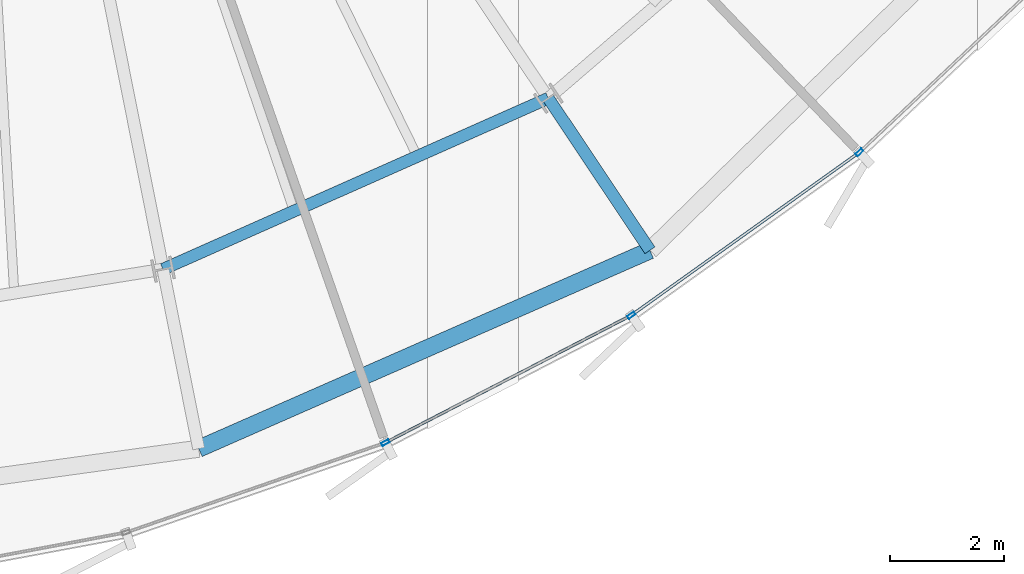
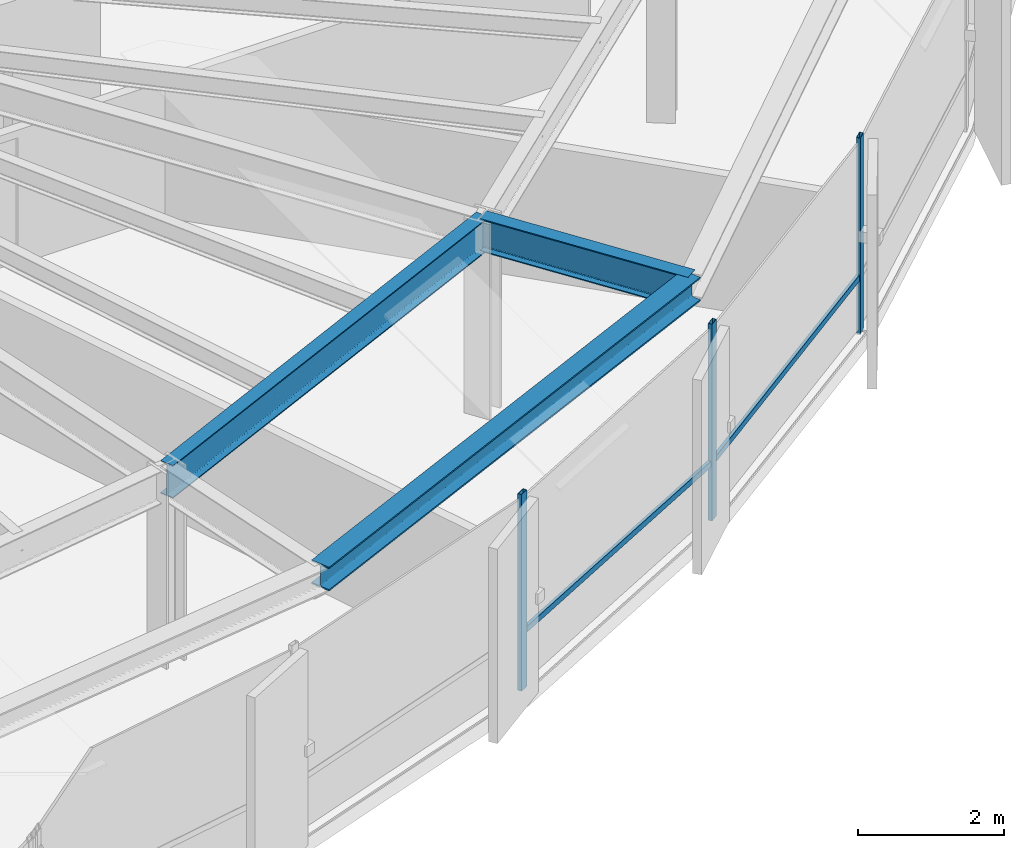
# One storey, part 12 of 32: 5 members, 3 beams, 1 element without a shape of its own.
"""IFC4 building model written with IfcOpenShell, lengths in metres."""

from ifc_helpers import new_model, si_unit, direction, frame, origin, origin_2d, place, context, subcontext, project, spatial, hollow_rectangle, i_section, extrude, source, transform, mapped, material, layer, layer_set, material_profile, profile_set, type_object, element, aggregate, save


model = new_model("IFC4")

# Units and contexts
model_context = context("Model", 3, precision=1e-05, world=origin(), true_north=direction((0.0, 1.0)))
body_context = subcontext(model_context, "Body", "Model", "MODEL_VIEW")
ifc_project = project(units=[si_unit("LENGTHUNIT", "METRE"), si_unit("AREAUNIT", "SQUARE_METRE"), si_unit("VOLUMEUNIT", "CUBIC_METRE"), si_unit("PLANEANGLEUNIT", "RADIAN"), si_unit("MASSUNIT", "GRAM", prefix="KILO"), si_unit("THERMODYNAMICTEMPERATUREUNIT", "KELVIN")], contexts=[model_context])

# Site, building, storey
site_placement = place(None, origin())
site = spatial("IfcSite", under=ifc_project, at=site_placement, CompositionType="ELEMENT")
building_placement = place(site_placement, origin())
building = spatial("IfcBuilding", under=site, at=building_placement, Name="Kethvar Cultural Tower", CompositionType="ELEMENT")
storey_placement = place(building_placement, frame((0.0, 0.0, 160.75)))
storey = spatial("IfcBuildingStorey", under=building, at=storey_placement, Name="L41", CompositionType="ELEMENT", Elevation=160.75)

# Beams
ifc_material_1 = material(Name="Steel S355J2", Category="steel")
ifc_material_profile_1 = material_profile(ifc_material_1, i_section(OverallWidth=0.2099609375, OverallDepth=0.550048828125, WebThickness=0.010986328125, FlangeThickness=0.01708984375, FilletRadius=0.02392578125, at=origin_2d()), Name="Steel S355J2 — IPE550")
ifc_profile_set_1 = profile_set([ifc_material_profile_1], Name="Steel S355J2 — IPE550")
beam_type_1 = type_object("IfcBeamType", Name="BM-IPE550", PredefinedType="BEAM", material=ifc_profile_set_1)
shared_shape_1 = source(origin(), body_context, "Body", "SweptSolid", [
    extrude(i_section(OverallWidth=0.2099609375, OverallDepth=0.550048828125, WebThickness=0.010986328125, FlangeThickness=0.01708984375, FilletRadius=0.02392578125, at=origin_2d()), origin(), (0.0, 0.0, 1.0), 3.199951171875),
])
beam_1_placement = place(storey_placement, frame((57.241943359375, 12.17236328125, 3.02294921875), z_axis=(0.555580212716, -0.831462943996, 0.0), x_axis=(0.831462943996, 0.555580212716, 0.0)))
element("IfcBeam", 1, at=beam_1_placement, inside=storey, type_object=beam_type_1, Name="L41 Perimeter Cantilever Beam RC-14", PredefinedType="BEAM", context=body_context, shape_type="MappedRepresentation", body=[
    mapped(shared_shape_1, transform((0.0, 0.0, 0.0), scale=1.0)),
])
shared_shape_2 = source(origin(), body_context, "Body", "SweptSolid", [
    extrude(i_section(OverallWidth=0.2099609375, OverallDepth=0.550048828125, WebThickness=0.010986328125, FlangeThickness=0.01708984375, FilletRadius=0.02392578125, at=origin_2d()), origin(), (0.0, 0.0, 1.0), 7.3720703125),
])
beam_2_placement = place(storey_placement, frame((50.50341796875, 9.182373046875, 3.02294921875), z_axis=(0.914058560918, 0.405582232367, 0.0), x_axis=(-0.405582232367, 0.914058560918, 0.0)))
element("IfcBeam", 2, at=beam_2_placement, inside=storey, type_object=beam_type_1, Name="L41 Column Ring Tie Beam CR-13", PredefinedType="BEAM", context=body_context, shape_type="MappedRepresentation", body=[
    mapped(shared_shape_2, transform((0.0, 0.0, 0.0), scale=1.0)),
])
ifc_material_profile_2 = material_profile(ifc_material_1, i_section(OverallWidth=0.300048828125, OverallDepth=0.39990234375, WebThickness=0.013427734375, FlangeThickness=0.02392578125, FilletRadius=0.027099609375, at=origin_2d()), Name="Steel S355J2 — HEB400")
ifc_profile_set_2 = profile_set([ifc_material_profile_2], Name="Steel S355J2 — HEB400")
beam_type_2 = type_object("IfcBeamType", Name="BM-SP400", PredefinedType="SPANDREL", material=ifc_profile_set_2)
shared_shape_3 = source(origin(), body_context, "Body", "SweptSolid", [
    extrude(i_section(OverallWidth=0.300048828125, OverallDepth=0.39990234375, WebThickness=0.013427734375, FlangeThickness=0.02392578125, FilletRadius=0.027099609375, at=origin_2d()), origin(), (0.0, 0.0, 1.0), 8.620361328125),
])
beam_3_placement = place(storey_placement, frame((51.127685546875, 6.043701171875, 3.097900390625), z_axis=(0.915507442902, 0.402301034041, 0.0), x_axis=(-0.402301034041, 0.915507442902, 0.0)))
element("IfcBeam", 3, at=beam_3_placement, inside=storey, type_object=beam_type_2, Name="L41 Perimeter Spandrel Beam SP-13", PredefinedType="SPANDREL", context=body_context, shape_type="MappedRepresentation", body=[
    mapped(shared_shape_3, transform((0.0, 0.0, 0.0), scale=1.0)),
])

# Curtain wall, members
ifc_material_2 = material(Name="Aluminium 6063-T6", Category="aluminium")
ifc_layer = layer(ifc_material_2, 0.179931640625, Name="Aluminium 6063-T6", Category="aluminium")
ifc_layer_set = layer_set([ifc_layer], Name="Aluminium 6063-T6 (180 mm)")
curtain_wall_type = type_object("IfcCurtainWallType", Name="CW-SYS-04-Z34", PredefinedType="NOTDEFINED", material=ifc_layer_set)
curtain_wall_placement = place(storey_placement, origin())
curtain_wall = element("IfcCurtainWall", 4, at=curtain_wall_placement, inside=storey, type_object=curtain_wall_type, Name="L41 Curtain Wall Run 05", PredefinedType="NOTDEFINED")
ifc_material_profile_3 = material_profile(ifc_material_2, hollow_rectangle(XDim=0.06005859375, YDim=0.139892578125, WallThickness=0.0048828125, at=origin_2d()), Name="Aluminium 6063-T6 — RHS140x60x5")
ifc_profile_set_3 = profile_set([ifc_material_profile_3], Name="Aluminium 6063-T6 — RHS140x60x5")
member_type_1 = type_object("IfcMemberType", Name="CW-SYS-04-Z34-MUL", PredefinedType="MULLION", material=ifc_profile_set_3)
shared_shape_4 = source(origin(), body_context, "Body", "SweptSolid", [
    extrude(hollow_rectangle(XDim=0.06005859375, YDim=0.139892578125, WallThickness=0.0048828125, at=origin_2d()), origin(), (0.0, 0.0, 1.0), 3.300048828125),
])
member_1_placement = place(storey_placement, frame((54.39208984375, 6.148193359375, 0.0), z_axis=(0.0, 0.0, 1.0), x_axis=(-0.460153298248, 0.887839479924, 0.0)))
member_1 = element("IfcMember", 5, at=member_1_placement, type_object=member_type_1, Name="CW-L41-R05 Mullion 3", PredefinedType="MULLION", context=body_context, shape_type="MappedRepresentation", body=[
    mapped(shared_shape_4, transform((0.0, 0.0, 0.0), scale=1.0)),
])
member_2_placement = place(storey_placement, frame((58.693603515625, 8.37646484375, 0.0), z_axis=(0.0, 0.0, 1.0), x_axis=(-0.581512581004, 0.813537410408, 0.0)))
member_2 = element("IfcMember", 6, at=member_2_placement, type_object=member_type_1, Name="CW-L41-R05 Mullion 4", PredefinedType="MULLION", context=body_context, shape_type="MappedRepresentation", body=[
    mapped(shared_shape_4, transform((0.0, 0.0, 0.0), scale=1.0)),
])
member_3_placement = place(storey_placement, frame((62.680908203125, 11.225341796875, 0.0), z_axis=(0.0, 0.0, 1.0), x_axis=(-0.685691322174, 0.727892444455, 0.0)))
member_3 = element("IfcMember", 7, at=member_3_placement, type_object=member_type_1, Name="CW-L41-R05 Mullion 5", PredefinedType="MULLION", context=body_context, shape_type="MappedRepresentation", body=[
    mapped(shared_shape_4, transform((0.0, 0.0, 0.0), scale=1.0)),
])
ifc_material_profile_4 = material_profile(ifc_material_2, hollow_rectangle(XDim=0.050048828125, YDim=0.10009765625, WallThickness=0.00390625, at=origin_2d()), Name="Aluminium 6063-T6 — RHS100x50x4")
ifc_profile_set_4 = profile_set([ifc_material_profile_4], Name="Aluminium 6063-T6 — RHS100x50x4")
member_type_2 = type_object("IfcMemberType", Name="CW-SYS-04-Z34-TRN", PredefinedType="USERDEFINED", material=ifc_profile_set_4)
shared_shape_5 = source(origin(), body_context, "Body", "SweptSolid", [
    extrude(hollow_rectangle(XDim=0.050048828125, YDim=0.10009765625, WallThickness=0.00390625, at=origin_2d()), origin(), (0.0, 0.0, 1.0), 4.828857421875),
])
member_4_placement = place(storey_placement, frame((58.728759765625, 8.401611328125, 0.949951171875), z_axis=(0.813531872734, 0.581520328145, 0.0), x_axis=(-0.581520328145, 0.813531872734, 0.0)))
member_4 = element("IfcMember", 8, at=member_4_placement, type_object=member_type_2, Name="CW-L41-R05 Transom 4", ObjectType="TRANSOM", PredefinedType="USERDEFINED", context=body_context, shape_type="MappedRepresentation", body=[
    mapped(shared_shape_5, transform((0.0, 0.0, 0.0), scale=1.0)),
])
shared_shape_6 = source(origin(), body_context, "Body", "SweptSolid", [
    extrude(hollow_rectangle(XDim=0.050048828125, YDim=0.10009765625, WallThickness=0.00390625, at=origin_2d()), origin(), (0.0, 0.0, 1.0), 4.773681640625),
])
member_5_placement = place(storey_placement, frame((54.430419921875, 6.168212890625, 0.949951171875), z_axis=(0.887848174475, 0.460136522221, 0.0), x_axis=(-0.460136522221, 0.887848174475, 0.0)))
member_5 = element("IfcMember", 9, at=member_5_placement, type_object=member_type_2, Name="CW-L41-R05 Transom 3", ObjectType="TRANSOM", PredefinedType="USERDEFINED", context=body_context, shape_type="MappedRepresentation", body=[
    mapped(shared_shape_6, transform((0.0, 0.0, 0.0), scale=1.0)),
])
aggregate(curtain_wall, [member_1, member_2, member_3, member_5, member_4])

save(model, "model.ifc")
